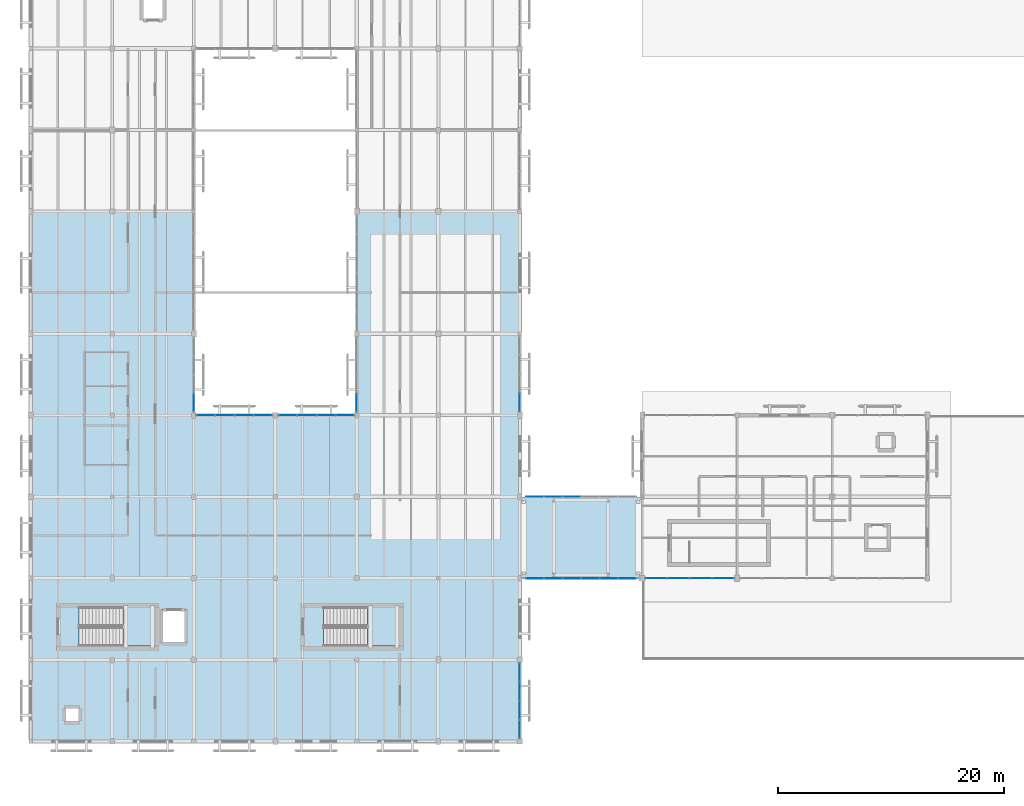
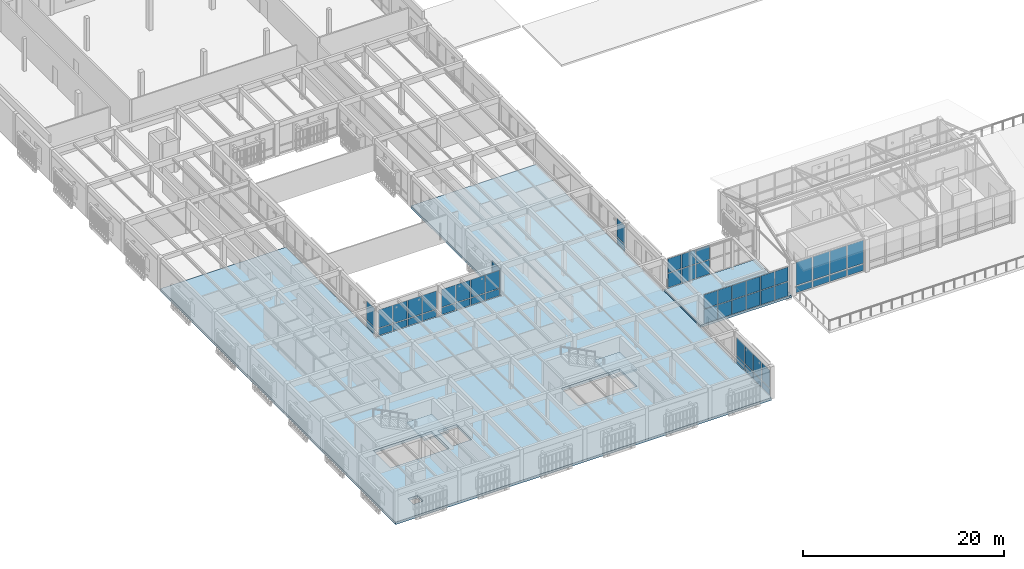
# One storey, part 70 of 112: 56 plates, 4 slabs, 11 elements without a shape of their own.
"""IFC4 building model written with IfcOpenShell, lengths in metres."""

from ifc_helpers import new_model, si_unit, direction, frame, origin, origin_2d, place, context, subcontext, project, spatial, polyline, rectangle, outline, extrude, material, layer, layer_set, type_object, element, aggregate, save


model = new_model("IFC4")

# Units and contexts
model_context = context("Model", 3, precision=1e-05, world=origin(), true_north=direction((0.0, 1.0)))
body_context = subcontext(model_context, "Body", "Model", "MODEL_VIEW")
ifc_project = project(units=[si_unit("LENGTHUNIT", "METRE"), si_unit("AREAUNIT", "SQUARE_METRE"), si_unit("VOLUMEUNIT", "CUBIC_METRE"), si_unit("PLANEANGLEUNIT", "RADIAN"), si_unit("MASSUNIT", "GRAM", prefix="KILO")], contexts=[model_context])

# Site, building, storey
site_placement = place(None, origin())
site = spatial("IfcSite", under=ifc_project, at=site_placement, CompositionType="ELEMENT")
building_placement = place(site_placement, origin())
building = spatial("IfcBuilding", under=site, at=building_placement, Name="Mazaris Harbour Polytechnic", CompositionType="ELEMENT")
storey_placement = place(building_placement, frame((0.0, 0.0, 13.800048828125)))
storey = spatial("IfcBuildingStorey", under=building, at=storey_placement, Name="L03", CompositionType="ELEMENT", Elevation=13.800048828125)

# Slabs
ifc_material_1 = material(Name="Glulam GL28h and Concrete C30/37", Category="concrete")
ifc_layer_1 = layer(ifc_material_1, 0.264892578125, Name="Glulam GL28h and Concrete C30/37")
ifc_layer_set_1 = layer_set([ifc_layer_1], Name="Glulam GL28h and Concrete C30/37")
slab_type_1 = type_object("IfcSlabType", Name="CLT Composite Floor 265", PredefinedType="FLOOR", material=ifc_layer_set_1)
slab_1_placement = place(storey_placement, frame((0.0, 0.0, -0.26513671875)))
element("IfcSlab", 1, at=slab_1_placement, inside=storey, type_object=slab_type_1, Name="PB-W1 L03 Bridge Deck", PredefinedType="FLOOR", context=body_context, shape_type="SweptSolid", body=[
    extrude(outline(polyline([(53.85009765625, 21.60009765625), (53.85009765625, 28.800048828125), (43.35009765625, 28.800048828125), (43.35009765625, 21.60009765625), (53.85009765625, 21.60009765625)])), origin(), (0.0, 0.0, 1.0), 0.26513671875),
])
ifc_material_2 = material(Name="Glulam GL28h and Concrete C30/37", Category="concrete")
ifc_layer_2 = layer(ifc_material_2, 0.31005859375, Name="Glulam GL28h and Concrete C30/37")
ifc_layer_set_2 = layer_set([ifc_layer_2], Name="Glulam GL28h and Concrete C30/37")
slab_type_2 = type_object("IfcSlabType", Name="CLT Library Stack Floor 310", PredefinedType="FLOOR", material=ifc_layer_set_2)
slab_2_placement = place(storey_placement, frame((0.0, 0.0, -0.31005859375)))
element("IfcSlab", 2, at=slab_2_placement, inside=storey, type_object=slab_type_2, Name="V4 L03 Floor Slab", PredefinedType="FLOOR", context=body_context, shape_type="SweptSolid", body=[
    extrude(outline(polyline([(43.199951171875, 7.199951171875), (0.0, 7.199951171875), (0.0, 54.0), (14.39990234375, 54.0), (14.39990234375, 36.0), (28.800048828125, 36.0), (28.800048828125, 54.0), (43.199951171875, 54.0), (43.199951171875, 7.199951171875)]), holes=[polyline([(4.27490234375, 15.60009765625), (11.0, 15.60009765625), (11.0, 19.050048828125), (4.27490234375, 19.050048828125), (4.27490234375, 15.60009765625)]), polyline([(25.875, 19.050048828125), (25.875, 15.60009765625), (32.60009765625, 15.60009765625), (32.60009765625, 19.050048828125), (25.875, 19.050048828125)]), polyline([(13.75, 18.824951171875), (11.550048828125, 18.824951171875), (11.550048828125, 15.824951171875), (13.75, 15.824951171875), (13.75, 18.824951171875)]), polyline([(3.10009765625, 9.0), (4.219970703125, 9.0), (4.219970703125, 10.1201171875), (3.10009765625, 10.1201171875), (3.10009765625, 9.0)])]), origin(), (0.0, 0.0, 1.0), 0.31005859375),
])

# Curtain wall, plates
ifc_material_3 = material(Name="Anodised Bronze Aluminium and Low-E Glass", Category="aluminium")
ifc_layer_3 = layer(ifc_material_3, 0.139892578125, Name="Anodised Bronze Aluminium and Low-E Glass")
ifc_layer_set_3 = layer_set([ifc_layer_3], Name="Anodised Bronze Aluminium and Low-E Glass")
curtain_wall_type_1 = type_object("IfcCurtainWallType", Name="Seismic Link Bridge Glazing", PredefinedType="NOTDEFINED", material=ifc_layer_set_3)
curtain_wall_1_placement = place(storey_placement, origin())
curtain_wall_1 = element("IfcCurtainWall", 3, at=curtain_wall_1_placement, inside=storey, type_object=curtain_wall_type_1, Name="PB-W1 L03 Bridge Glazing", PredefinedType="NOTDEFINED")
ifc_material_4 = material(Name="Anodised Bronze Insulated Panel")
ifc_layer_4 = layer(ifc_material_4, 0.0419921875, Name="Anodised Bronze Insulated Panel")
ifc_layer_set_4 = layer_set([ifc_layer_4], Name="Anodised Bronze Insulated Panel")
plate_type_1 = type_object("IfcPlateType", Name="Insulated Bronze Spandrel Panel 42", PredefinedType="CURTAIN_PANEL", material=ifc_layer_set_4)
plate_1_placement = place(storey_placement, frame((44.52001953125, 21.60009765625, 0.080078125), z_axis=(0.0, 0.0, 1.0), x_axis=(1.0, 0.0, 0.0)))
plate_1 = element("IfcPlate", 4, at=plate_1_placement, type_object=plate_type_1, Name="CW-05 panel 1.1", PredefinedType="CURTAIN_PANEL", context=body_context, shape_type="SweptSolid", body=[
    extrude(rectangle(XDim=1.52001953125, YDim=0.0419921875, at=origin_2d()), origin(), (0.0, 0.0, 1.0), 1.7099609375),
])
plate_2_placement = place(storey_placement, frame((44.52001953125, 21.60009765625, 1.869873046875), z_axis=(0.0, 0.0, 1.0), x_axis=(1.0, 0.0, 0.0)))
plate_2 = element("IfcPlate", 5, at=plate_2_placement, type_object=plate_type_1, Name="CW-05 panel 1.2", PredefinedType="CURTAIN_PANEL", context=body_context, shape_type="SweptSolid", body=[
    extrude(rectangle(XDim=1.52001953125, YDim=0.0419921875, at=origin_2d()), origin(), (0.0, 0.0, 1.0), 1.7099609375),
])
plate_3_placement = place(storey_placement, frame((46.139892578125, 21.60009765625, 0.080078125), z_axis=(0.0, 0.0, 1.0), x_axis=(1.0, 0.0, 0.0)))
plate_3 = element("IfcPlate", 6, at=plate_3_placement, type_object=plate_type_1, Name="CW-05 panel 2.1", PredefinedType="CURTAIN_PANEL", context=body_context, shape_type="SweptSolid", body=[
    extrude(rectangle(XDim=1.56005859375, YDim=0.0419921875, at=origin_2d()), origin(), (0.0, 0.0, 1.0), 1.7099609375),
])
plate_4_placement = place(storey_placement, frame((46.139892578125, 21.60009765625, 1.869873046875), z_axis=(0.0, 0.0, 1.0), x_axis=(1.0, 0.0, 0.0)))
plate_4 = element("IfcPlate", 7, at=plate_4_placement, type_object=plate_type_1, Name="CW-05 panel 2.2", PredefinedType="CURTAIN_PANEL", context=body_context, shape_type="SweptSolid", body=[
    extrude(rectangle(XDim=1.56005859375, YDim=0.0419921875, at=origin_2d()), origin(), (0.0, 0.0, 1.0), 1.7099609375),
])
plate_5_placement = place(storey_placement, frame((47.780029296875, 21.60009765625, 0.080078125), z_axis=(0.0, 0.0, 1.0), x_axis=(1.0, 0.0, 0.0)))
plate_5 = element("IfcPlate", 8, at=plate_5_placement, type_object=plate_type_1, Name="CW-05 panel 3.1", PredefinedType="CURTAIN_PANEL", context=body_context, shape_type="SweptSolid", body=[
    extrude(rectangle(XDim=1.56005859375, YDim=0.0419921875, at=origin_2d()), origin(), (0.0, 0.0, 1.0), 1.7099609375),
])
plate_6_placement = place(storey_placement, frame((47.780029296875, 21.60009765625, 1.869873046875), z_axis=(0.0, 0.0, 1.0), x_axis=(1.0, 0.0, 0.0)))
plate_6 = element("IfcPlate", 9, at=plate_6_placement, type_object=plate_type_1, Name="CW-05 panel 3.2", PredefinedType="CURTAIN_PANEL", context=body_context, shape_type="SweptSolid", body=[
    extrude(rectangle(XDim=1.56005859375, YDim=0.0419921875, at=origin_2d()), origin(), (0.0, 0.0, 1.0), 1.7099609375),
])
plate_7_placement = place(storey_placement, frame((49.419921875, 21.60009765625, 0.080078125), z_axis=(0.0, 0.0, 1.0), x_axis=(1.0, 0.0, 0.0)))
plate_7 = element("IfcPlate", 10, at=plate_7_placement, type_object=plate_type_1, Name="CW-05 panel 4.1", PredefinedType="CURTAIN_PANEL", context=body_context, shape_type="SweptSolid", body=[
    extrude(rectangle(XDim=1.56005859375, YDim=0.0419921875, at=origin_2d()), origin(), (0.0, 0.0, 1.0), 1.7099609375),
])
plate_8_placement = place(storey_placement, frame((49.419921875, 21.60009765625, 1.869873046875), z_axis=(0.0, 0.0, 1.0), x_axis=(1.0, 0.0, 0.0)))
plate_8 = element("IfcPlate", 11, at=plate_8_placement, type_object=plate_type_1, Name="CW-05 panel 4.2", PredefinedType="CURTAIN_PANEL", context=body_context, shape_type="SweptSolid", body=[
    extrude(rectangle(XDim=1.56005859375, YDim=0.0419921875, at=origin_2d()), origin(), (0.0, 0.0, 1.0), 1.7099609375),
])
plate_9_placement = place(storey_placement, frame((51.06005859375, 21.60009765625, 0.080078125), z_axis=(0.0, 0.0, 1.0), x_axis=(1.0, 0.0, 0.0)))
plate_9 = element("IfcPlate", 12, at=plate_9_placement, type_object=plate_type_1, Name="CW-05 panel 5.1", PredefinedType="CURTAIN_PANEL", context=body_context, shape_type="SweptSolid", body=[
    extrude(rectangle(XDim=1.56005859375, YDim=0.0419921875, at=origin_2d()), origin(), (0.0, 0.0, 1.0), 1.7099609375),
])
plate_10_placement = place(storey_placement, frame((51.06005859375, 21.60009765625, 1.869873046875), z_axis=(0.0, 0.0, 1.0), x_axis=(1.0, 0.0, 0.0)))
plate_10 = element("IfcPlate", 13, at=plate_10_placement, type_object=plate_type_1, Name="CW-05 panel 5.2", PredefinedType="CURTAIN_PANEL", context=body_context, shape_type="SweptSolid", body=[
    extrude(rectangle(XDim=1.56005859375, YDim=0.0419921875, at=origin_2d()), origin(), (0.0, 0.0, 1.0), 1.7099609375),
])
plate_11_placement = place(storey_placement, frame((52.679931640625, 21.60009765625, 0.080078125), z_axis=(0.0, 0.0, 1.0), x_axis=(1.0, 0.0, 0.0)))
plate_11 = element("IfcPlate", 14, at=plate_11_placement, type_object=plate_type_1, Name="CW-05 panel 6.1", PredefinedType="CURTAIN_PANEL", context=body_context, shape_type="SweptSolid", body=[
    extrude(rectangle(XDim=1.52001953125, YDim=0.0419921875, at=origin_2d()), origin(), (0.0, 0.0, 1.0), 1.7099609375),
])
plate_12_placement = place(storey_placement, frame((52.679931640625, 21.60009765625, 1.869873046875), z_axis=(0.0, 0.0, 1.0), x_axis=(1.0, 0.0, 0.0)))
plate_12 = element("IfcPlate", 15, at=plate_12_placement, type_object=plate_type_1, Name="CW-05 panel 6.2", PredefinedType="CURTAIN_PANEL", context=body_context, shape_type="SweptSolid", body=[
    extrude(rectangle(XDim=1.52001953125, YDim=0.0419921875, at=origin_2d()), origin(), (0.0, 0.0, 1.0), 1.7099609375),
])
aggregate(curtain_wall_1, [plate_1, plate_2, plate_3, plate_4, plate_5, plate_6, plate_7, plate_8, plate_9, plate_10, plate_11, plate_12])

ifc_material_5 = material(Name="Anodised Bronze Aluminium and Low-E Glass", Category="aluminium")
ifc_layer_5 = layer(ifc_material_5, 0.179931640625, Name="Anodised Bronze Aluminium and Low-E Glass")
ifc_layer_set_5 = layer_set([ifc_layer_5], Name="Anodised Bronze Aluminium and Low-E Glass")
curtain_wall_type_2 = type_object("IfcCurtainWallType", Name="Harbour Colonnade Curtain Wall", PredefinedType="NOTDEFINED", material=ifc_layer_set_5)
curtain_wall_2_placement = place(storey_placement, origin())
curtain_wall_2 = element("IfcCurtainWall", 16, at=curtain_wall_2_placement, inside=storey, type_object=curtain_wall_type_2, Name="V3 L03 Curtain Wall 90", PredefinedType="NOTDEFINED")
ifc_material_6 = material(Name="Low-E Double Glazing", Category="glass")
ifc_layer_6 = layer(ifc_material_6, 0.028076171875, Name="Low-E Double Glazing")
ifc_layer_set_6 = layer_set([ifc_layer_6], Name="Low-E Double Glazing")
plate_type_2 = type_object("IfcPlateType", Name="Low-E Vision Glass Panel 28", PredefinedType="CURTAIN_PANEL", material=ifc_layer_set_6)
plate_13_placement = place(storey_placement, frame((61.169677734375, 21.60009765625, 0.119873046875), z_axis=(0.0, 0.0, 1.0), x_axis=(-1.0, 0.0, 0.0)))
plate_13 = element("IfcPlate", 17, at=plate_13_placement, type_object=plate_type_2, Name="CW-01 panel 1.1", PredefinedType="CURTAIN_PANEL", context=body_context, shape_type="SweptSolid", body=[
    extrude(rectangle(XDim=1.83642578125, YDim=0.028076171875, at=origin_2d()), origin(), (0.0, 0.0, 1.0), 0.77001953125),
])
plate_14_placement = place(storey_placement, frame((61.169677734375, 21.60009765625, 1.010009765625), z_axis=(0.0, 0.0, 1.0), x_axis=(-1.0, 0.0, 0.0)))
plate_14 = element("IfcPlate", 18, at=plate_14_placement, type_object=plate_type_2, Name="CW-01 panel 1.2", PredefinedType="CURTAIN_PANEL", context=body_context, shape_type="SweptSolid", body=[
    extrude(rectangle(XDim=1.83642578125, YDim=0.028076171875, at=origin_2d()), origin(), (0.0, 0.0, 1.0), 2.830078125),
])
plate_15_placement = place(storey_placement, frame((59.208251953125, 21.60009765625, 0.119873046875), z_axis=(0.0, 0.0, 1.0), x_axis=(-1.0, 0.0, 0.0)))
plate_15 = element("IfcPlate", 19, at=plate_15_placement, type_object=plate_type_2, Name="CW-01 panel 2.1", PredefinedType="CURTAIN_PANEL", context=body_context, shape_type="SweptSolid", body=[
    extrude(rectangle(XDim=1.886474609375, YDim=0.028076171875, at=origin_2d()), origin(), (0.0, 0.0, 1.0), 0.77001953125),
])
plate_16_placement = place(storey_placement, frame((59.208251953125, 21.60009765625, 1.010009765625), z_axis=(0.0, 0.0, 1.0), x_axis=(-1.0, 0.0, 0.0)))
plate_16 = element("IfcPlate", 20, at=plate_16_placement, type_object=plate_type_2, Name="CW-01 panel 2.2", PredefinedType="CURTAIN_PANEL", context=body_context, shape_type="SweptSolid", body=[
    extrude(rectangle(XDim=1.886474609375, YDim=0.028076171875, at=origin_2d()), origin(), (0.0, 0.0, 1.0), 2.830078125),
])
plate_17_placement = place(storey_placement, frame((57.2216796875, 21.60009765625, 0.119873046875), z_axis=(0.0, 0.0, 1.0), x_axis=(-1.0, 0.0, 0.0)))
plate_17 = element("IfcPlate", 21, at=plate_17_placement, type_object=plate_type_2, Name="CW-01 panel 3.1", PredefinedType="CURTAIN_PANEL", context=body_context, shape_type="SweptSolid", body=[
    extrude(rectangle(XDim=1.886474609375, YDim=0.028076171875, at=origin_2d()), origin(), (0.0, 0.0, 1.0), 0.77001953125),
])
plate_18_placement = place(storey_placement, frame((57.2216796875, 21.60009765625, 1.010009765625), z_axis=(0.0, 0.0, 1.0), x_axis=(-1.0, 0.0, 0.0)))
plate_18 = element("IfcPlate", 22, at=plate_18_placement, type_object=plate_type_2, Name="CW-01 panel 3.2", PredefinedType="CURTAIN_PANEL", context=body_context, shape_type="SweptSolid", body=[
    extrude(rectangle(XDim=1.886474609375, YDim=0.028076171875, at=origin_2d()), origin(), (0.0, 0.0, 1.0), 2.830078125),
])
plate_19_placement = place(storey_placement, frame((55.26025390625, 21.60009765625, 0.119873046875), z_axis=(0.0, 0.0, 1.0), x_axis=(-1.0, 0.0, 0.0)))
plate_19 = element("IfcPlate", 23, at=plate_19_placement, type_object=plate_type_2, Name="CW-01 panel 4.1", PredefinedType="CURTAIN_PANEL", context=body_context, shape_type="SweptSolid", body=[
    extrude(rectangle(XDim=1.83642578125, YDim=0.028076171875, at=origin_2d()), origin(), (0.0, 0.0, 1.0), 0.77001953125),
])
plate_20_placement = place(storey_placement, frame((55.26025390625, 21.60009765625, 1.010009765625), z_axis=(0.0, 0.0, 1.0), x_axis=(-1.0, 0.0, 0.0)))
plate_20 = element("IfcPlate", 24, at=plate_20_placement, type_object=plate_type_2, Name="CW-01 panel 4.2", PredefinedType="CURTAIN_PANEL", context=body_context, shape_type="SweptSolid", body=[
    extrude(rectangle(XDim=1.83642578125, YDim=0.028076171875, at=origin_2d()), origin(), (0.0, 0.0, 1.0), 2.830078125),
])
aggregate(curtain_wall_2, [plate_13, plate_14, plate_15, plate_16, plate_17, plate_18, plate_19, plate_20])

ifc_material_7 = material(Name="Anodised Bronze Aluminium and Low-E Glass", Category="aluminium")
ifc_layer_7 = layer(ifc_material_7, 0.159912109375, Name="Anodised Bronze Aluminium and Low-E Glass")
ifc_layer_set_7 = layer_set([ifc_layer_7], Name="Anodised Bronze Aluminium and Low-E Glass")
curtain_wall_type_3 = type_object("IfcCurtainWallType", Name="Cloister Court Curtain Wall", PredefinedType="NOTDEFINED", material=ifc_layer_set_7)
curtain_wall_3_placement = place(storey_placement, origin())
curtain_wall_3 = element("IfcCurtainWall", 25, at=curtain_wall_3_placement, inside=storey, type_object=curtain_wall_type_3, Name="V4 L03 Curtain Wall 145", PredefinedType="NOTDEFINED")
plate_21_placement = place(storey_placement, frame((43.199951171875, 13.2958984375, 0.079833984375), z_axis=(0.0, 0.0, 1.0), x_axis=(0.0, -1.0, 0.0)))
plate_21 = element("IfcPlate", 26, at=plate_21_placement, type_object=plate_type_2, Name="CW-02 panel 1.1", PredefinedType="CURTAIN_PANEL", context=body_context, shape_type="SweptSolid", body=[
    extrude(rectangle(XDim=1.56396484375, YDim=0.028076171875, at=origin_2d()), origin(), (0.0, 0.0, 1.0), 0.830078125),
])
plate_22_placement = place(storey_placement, frame((43.199951171875, 13.2958984375, 0.990234375), z_axis=(0.0, 0.0, 1.0), x_axis=(0.0, -1.0, 0.0)))
plate_22 = element("IfcPlate", 27, at=plate_22_placement, type_object=plate_type_2, Name="CW-02 panel 1.2", PredefinedType="CURTAIN_PANEL", context=body_context, shape_type="SweptSolid", body=[
    extrude(rectangle(XDim=1.56396484375, YDim=0.028076171875, at=origin_2d()), origin(), (0.0, 0.0, 1.0), 2.159912109375),
])
plate_23_placement = place(storey_placement, frame((43.199951171875, 11.632080078125, 0.079833984375), z_axis=(0.0, 0.0, 1.0), x_axis=(0.0, -1.0, 0.0)))
plate_23 = element("IfcPlate", 28, at=plate_23_placement, type_object=plate_type_2, Name="CW-02 panel 2.1", PredefinedType="CURTAIN_PANEL", context=body_context, shape_type="SweptSolid", body=[
    extrude(rectangle(XDim=1.60400390625, YDim=0.028076171875, at=origin_2d()), origin(), (0.0, 0.0, 1.0), 0.830078125),
])
plate_24_placement = place(storey_placement, frame((43.199951171875, 11.632080078125, 0.990234375), z_axis=(0.0, 0.0, 1.0), x_axis=(0.0, -1.0, 0.0)))
plate_24 = element("IfcPlate", 29, at=plate_24_placement, type_object=plate_type_2, Name="CW-02 panel 2.2", PredefinedType="CURTAIN_PANEL", context=body_context, shape_type="SweptSolid", body=[
    extrude(rectangle(XDim=1.60400390625, YDim=0.028076171875, at=origin_2d()), origin(), (0.0, 0.0, 1.0), 2.159912109375),
])
plate_25_placement = place(storey_placement, frame((43.199951171875, 9.947998046875, 0.079833984375), z_axis=(0.0, 0.0, 1.0), x_axis=(0.0, -1.0, 0.0)))
plate_25 = element("IfcPlate", 30, at=plate_25_placement, type_object=plate_type_2, Name="CW-02 panel 3.1", PredefinedType="CURTAIN_PANEL", context=body_context, shape_type="SweptSolid", body=[
    extrude(rectangle(XDim=1.60400390625, YDim=0.028076171875, at=origin_2d()), origin(), (0.0, 0.0, 1.0), 0.830078125),
])
plate_26_placement = place(storey_placement, frame((43.199951171875, 9.947998046875, 0.990234375), z_axis=(0.0, 0.0, 1.0), x_axis=(0.0, -1.0, 0.0)))
plate_26 = element("IfcPlate", 31, at=plate_26_placement, type_object=plate_type_2, Name="CW-02 panel 3.2", PredefinedType="CURTAIN_PANEL", context=body_context, shape_type="SweptSolid", body=[
    extrude(rectangle(XDim=1.60400390625, YDim=0.028076171875, at=origin_2d()), origin(), (0.0, 0.0, 1.0), 2.159912109375),
])
plate_27_placement = place(storey_placement, frame((43.199951171875, 8.283935546875, 0.079833984375), z_axis=(0.0, 0.0, 1.0), x_axis=(0.0, -1.0, 0.0)))
plate_27 = element("IfcPlate", 32, at=plate_27_placement, type_object=plate_type_2, Name="CW-02 panel 4.1", PredefinedType="CURTAIN_PANEL", context=body_context, shape_type="SweptSolid", body=[
    extrude(rectangle(XDim=1.56396484375, YDim=0.028076171875, at=origin_2d()), origin(), (0.0, 0.0, 1.0), 0.830078125),
])
plate_28_placement = place(storey_placement, frame((43.199951171875, 8.283935546875, 0.990234375), z_axis=(0.0, 0.0, 1.0), x_axis=(0.0, -1.0, 0.0)))
plate_28 = element("IfcPlate", 33, at=plate_28_placement, type_object=plate_type_2, Name="CW-02 panel 4.2", PredefinedType="CURTAIN_PANEL", context=body_context, shape_type="SweptSolid", body=[
    extrude(rectangle(XDim=1.56396484375, YDim=0.028076171875, at=origin_2d()), origin(), (0.0, 0.0, 1.0), 2.159912109375),
])
aggregate(curtain_wall_3, [plate_21, plate_22, plate_23, plate_24, plate_25, plate_26, plate_27, plate_28])

curtain_wall_4_placement = place(storey_placement, origin())
curtain_wall_4 = element("IfcCurtainWall", 34, at=curtain_wall_4_placement, inside=storey, type_object=curtain_wall_type_3, Name="V4 L03 Curtain Wall 146", PredefinedType="NOTDEFINED")
plate_29_placement = place(storey_placement, frame((43.199951171875, 37.1552734375, 0.079833984375), z_axis=(0.0, 0.0, 1.0), x_axis=(0.0, -1.0, 0.0)))
plate_29 = element("IfcPlate", 35, at=plate_29_placement, type_object=plate_type_2, Name="CW-02 panel 4.1", PredefinedType="CURTAIN_PANEL", context=body_context, shape_type="SweptSolid", body=[
    extrude(rectangle(XDim=1.56640625, YDim=0.028076171875, at=origin_2d()), origin(), (0.0, 0.0, 1.0), 0.830078125),
])
plate_30_placement = place(storey_placement, frame((43.199951171875, 37.1552734375, 0.98974609375), z_axis=(0.0, 0.0, 1.0), x_axis=(0.0, -1.0, 0.0)))
plate_30 = element("IfcPlate", 36, at=plate_30_placement, type_object=plate_type_2, Name="CW-02 panel 4.2", PredefinedType="CURTAIN_PANEL", context=body_context, shape_type="SweptSolid", body=[
    extrude(rectangle(XDim=1.56640625, YDim=0.028076171875, at=origin_2d()), origin(), (0.0, 0.0, 1.0), 2.199951171875),
])
aggregate(curtain_wall_4, [plate_29, plate_30])

curtain_wall_5_placement = place(storey_placement, origin())
curtain_wall_5 = element("IfcCurtainWall", 37, at=curtain_wall_5_placement, inside=storey, type_object=curtain_wall_type_3, Name="V4 L03 Curtain Wall 150", PredefinedType="NOTDEFINED")
plate_31_placement = place(storey_placement, frame((15.460205078125, 36.0, 0.079833984375), z_axis=(0.0, 0.0, 1.0), x_axis=(1.0, 0.0, 0.0)))
plate_31 = element("IfcPlate", 38, at=plate_31_placement, type_object=plate_type_2, Name="CW-02 panel 1.1", PredefinedType="CURTAIN_PANEL", context=body_context, shape_type="SweptSolid", body=[
    extrude(rectangle(XDim=1.576416015625, YDim=0.028076171875, at=origin_2d()), origin(), (0.0, 0.0, 1.0), 0.830078125),
])
plate_32_placement = place(storey_placement, frame((15.460205078125, 36.0, 0.98974609375), z_axis=(0.0, 0.0, 1.0), x_axis=(1.0, 0.0, 0.0)))
plate_32 = element("IfcPlate", 39, at=plate_32_placement, type_object=plate_type_2, Name="CW-02 panel 1.2", PredefinedType="CURTAIN_PANEL", context=body_context, shape_type="SweptSolid", body=[
    extrude(rectangle(XDim=1.576416015625, YDim=0.028076171875, at=origin_2d()), origin(), (0.0, 0.0, 1.0), 2.199951171875),
])
plate_33_placement = place(storey_placement, frame((17.13671875, 36.0, 0.079833984375), z_axis=(0.0, 0.0, 1.0), x_axis=(1.0, 0.0, 0.0)))
plate_33 = element("IfcPlate", 40, at=plate_33_placement, type_object=plate_type_2, Name="CW-02 panel 2.1", PredefinedType="CURTAIN_PANEL", context=body_context, shape_type="SweptSolid", body=[
    extrude(rectangle(XDim=1.616455078125, YDim=0.028076171875, at=origin_2d()), origin(), (0.0, 0.0, 1.0), 0.830078125),
])
plate_34_placement = place(storey_placement, frame((17.13671875, 36.0, 0.98974609375), z_axis=(0.0, 0.0, 1.0), x_axis=(1.0, 0.0, 0.0)))
plate_34 = element("IfcPlate", 41, at=plate_34_placement, type_object=plate_type_2, Name="CW-02 panel 2.2", PredefinedType="CURTAIN_PANEL", context=body_context, shape_type="SweptSolid", body=[
    extrude(rectangle(XDim=1.616455078125, YDim=0.028076171875, at=origin_2d()), origin(), (0.0, 0.0, 1.0), 2.199951171875),
])
plate_35_placement = place(storey_placement, frame((18.833251953125, 36.0, 0.079833984375), z_axis=(0.0, 0.0, 1.0), x_axis=(1.0, 0.0, 0.0)))
plate_35 = element("IfcPlate", 42, at=plate_35_placement, type_object=plate_type_2, Name="CW-02 panel 3.1", PredefinedType="CURTAIN_PANEL", context=body_context, shape_type="SweptSolid", body=[
    extrude(rectangle(XDim=1.616455078125, YDim=0.028076171875, at=origin_2d()), origin(), (0.0, 0.0, 1.0), 0.830078125),
])
plate_36_placement = place(storey_placement, frame((18.833251953125, 36.0, 0.98974609375), z_axis=(0.0, 0.0, 1.0), x_axis=(1.0, 0.0, 0.0)))
plate_36 = element("IfcPlate", 43, at=plate_36_placement, type_object=plate_type_2, Name="CW-02 panel 3.2", PredefinedType="CURTAIN_PANEL", context=body_context, shape_type="SweptSolid", body=[
    extrude(rectangle(XDim=1.616455078125, YDim=0.028076171875, at=origin_2d()), origin(), (0.0, 0.0, 1.0), 2.199951171875),
])
plate_37_placement = place(storey_placement, frame((20.509765625, 36.0, 0.079833984375), z_axis=(0.0, 0.0, 1.0), x_axis=(1.0, 0.0, 0.0)))
plate_37 = element("IfcPlate", 44, at=plate_37_placement, type_object=plate_type_2, Name="CW-02 panel 4.1", PredefinedType="CURTAIN_PANEL", context=body_context, shape_type="SweptSolid", body=[
    extrude(rectangle(XDim=1.576416015625, YDim=0.028076171875, at=origin_2d()), origin(), (0.0, 0.0, 1.0), 0.830078125),
])
plate_38_placement = place(storey_placement, frame((20.509765625, 36.0, 0.98974609375), z_axis=(0.0, 0.0, 1.0), x_axis=(1.0, 0.0, 0.0)))
plate_38 = element("IfcPlate", 45, at=plate_38_placement, type_object=plate_type_2, Name="CW-02 panel 4.2", PredefinedType="CURTAIN_PANEL", context=body_context, shape_type="SweptSolid", body=[
    extrude(rectangle(XDim=1.576416015625, YDim=0.028076171875, at=origin_2d()), origin(), (0.0, 0.0, 1.0), 2.199951171875),
])
aggregate(curtain_wall_5, [plate_31, plate_32, plate_33, plate_34, plate_35, plate_36, plate_37, plate_38])

curtain_wall_6_placement = place(storey_placement, origin())
curtain_wall_6 = element("IfcCurtainWall", 46, at=curtain_wall_6_placement, inside=storey, type_object=curtain_wall_type_3, Name="V4 L03 Curtain Wall 151", PredefinedType="NOTDEFINED")
plate_39_placement = place(storey_placement, frame((22.69287109375, 36.0, 0.079833984375), z_axis=(0.0, 0.0, 1.0), x_axis=(1.0, 0.0, 0.0)))
plate_39 = element("IfcPlate", 47, at=plate_39_placement, type_object=plate_type_2, Name="CW-02 panel 1.1", PredefinedType="CURTAIN_PANEL", context=body_context, shape_type="SweptSolid", body=[
    extrude(rectangle(XDim=1.58154296875, YDim=0.028076171875, at=origin_2d()), origin(), (0.0, 0.0, 1.0), 0.830078125),
])
plate_40_placement = place(storey_placement, frame((22.69287109375, 36.0, 0.990234375), z_axis=(0.0, 0.0, 1.0), x_axis=(1.0, 0.0, 0.0)))
plate_40 = element("IfcPlate", 48, at=plate_40_placement, type_object=plate_type_2, Name="CW-02 panel 1.2", PredefinedType="CURTAIN_PANEL", context=body_context, shape_type="SweptSolid", body=[
    extrude(rectangle(XDim=1.58154296875, YDim=0.028076171875, at=origin_2d()), origin(), (0.0, 0.0, 1.0), 2.159912109375),
])
plate_41_placement = place(storey_placement, frame((24.374267578125, 36.0, 0.079833984375), z_axis=(0.0, 0.0, 1.0), x_axis=(1.0, 0.0, 0.0)))
plate_41 = element("IfcPlate", 49, at=plate_41_placement, type_object=plate_type_2, Name="CW-02 panel 2.1", PredefinedType="CURTAIN_PANEL", context=body_context, shape_type="SweptSolid", body=[
    extrude(rectangle(XDim=1.62158203125, YDim=0.028076171875, at=origin_2d()), origin(), (0.0, 0.0, 1.0), 0.830078125),
])
plate_42_placement = place(storey_placement, frame((24.374267578125, 36.0, 0.990234375), z_axis=(0.0, 0.0, 1.0), x_axis=(1.0, 0.0, 0.0)))
plate_42 = element("IfcPlate", 50, at=plate_42_placement, type_object=plate_type_2, Name="CW-02 panel 2.2", PredefinedType="CURTAIN_PANEL", context=body_context, shape_type="SweptSolid", body=[
    extrude(rectangle(XDim=1.62158203125, YDim=0.028076171875, at=origin_2d()), origin(), (0.0, 0.0, 1.0), 2.159912109375),
])
plate_43_placement = place(storey_placement, frame((26.07568359375, 36.0, 0.079833984375), z_axis=(0.0, 0.0, 1.0), x_axis=(1.0, 0.0, 0.0)))
plate_43 = element("IfcPlate", 51, at=plate_43_placement, type_object=plate_type_2, Name="CW-02 panel 3.1", PredefinedType="CURTAIN_PANEL", context=body_context, shape_type="SweptSolid", body=[
    extrude(rectangle(XDim=1.62158203125, YDim=0.028076171875, at=origin_2d()), origin(), (0.0, 0.0, 1.0), 0.830078125),
])
plate_44_placement = place(storey_placement, frame((26.07568359375, 36.0, 0.990234375), z_axis=(0.0, 0.0, 1.0), x_axis=(1.0, 0.0, 0.0)))
plate_44 = element("IfcPlate", 52, at=plate_44_placement, type_object=plate_type_2, Name="CW-02 panel 3.2", PredefinedType="CURTAIN_PANEL", context=body_context, shape_type="SweptSolid", body=[
    extrude(rectangle(XDim=1.62158203125, YDim=0.028076171875, at=origin_2d()), origin(), (0.0, 0.0, 1.0), 2.159912109375),
])
plate_45_placement = place(storey_placement, frame((27.75732421875, 36.0, 0.079833984375), z_axis=(0.0, 0.0, 1.0), x_axis=(1.0, 0.0, 0.0)))
plate_45 = element("IfcPlate", 53, at=plate_45_placement, type_object=plate_type_2, Name="CW-02 panel 4.1", PredefinedType="CURTAIN_PANEL", context=body_context, shape_type="SweptSolid", body=[
    extrude(rectangle(XDim=1.58154296875, YDim=0.028076171875, at=origin_2d()), origin(), (0.0, 0.0, 1.0), 0.830078125),
])
plate_46_placement = place(storey_placement, frame((27.75732421875, 36.0, 0.990234375), z_axis=(0.0, 0.0, 1.0), x_axis=(1.0, 0.0, 0.0)))
plate_46 = element("IfcPlate", 54, at=plate_46_placement, type_object=plate_type_2, Name="CW-02 panel 4.2", PredefinedType="CURTAIN_PANEL", context=body_context, shape_type="SweptSolid", body=[
    extrude(rectangle(XDim=1.58154296875, YDim=0.028076171875, at=origin_2d()), origin(), (0.0, 0.0, 1.0), 2.159912109375),
])
aggregate(curtain_wall_6, [plate_39, plate_40, plate_41, plate_42, plate_43, plate_44, plate_45, plate_46])

curtain_wall_7_placement = place(storey_placement, origin())
curtain_wall_7 = element("IfcCurtainWall", 55, at=curtain_wall_7_placement, inside=storey, type_object=curtain_wall_type_3, Name="V4 L03 Curtain Wall 154", PredefinedType="NOTDEFINED")
plate_47_placement = place(storey_placement, frame((14.39990234375, 37.11279296875, 0.079833984375), z_axis=(0.0, 0.0, 1.0), x_axis=(0.0, 1.0, 0.0)))
plate_47 = element("IfcPlate", 56, at=plate_47_placement, type_object=plate_type_2, Name="CW-02 panel 1.1", PredefinedType="CURTAIN_PANEL", context=body_context, shape_type="SweptSolid", body=[
    extrude(rectangle(XDim=1.54150390625, YDim=0.028076171875, at=origin_2d()), origin(), (0.0, 0.0, 1.0), 0.830078125),
])
plate_48_placement = place(storey_placement, frame((14.39990234375, 37.11279296875, 0.98974609375), z_axis=(0.0, 0.0, 1.0), x_axis=(0.0, 1.0, 0.0)))
plate_48 = element("IfcPlate", 57, at=plate_48_placement, type_object=plate_type_2, Name="CW-02 panel 1.2", PredefinedType="CURTAIN_PANEL", context=body_context, shape_type="SweptSolid", body=[
    extrude(rectangle(XDim=1.54150390625, YDim=0.028076171875, at=origin_2d()), origin(), (0.0, 0.0, 1.0), 2.260009765625),
])
aggregate(curtain_wall_7, [plate_47, plate_48])

curtain_wall_8_placement = place(storey_placement, origin())
curtain_wall_8 = element("IfcCurtainWall", 58, at=curtain_wall_8_placement, inside=storey, type_object=curtain_wall_type_3, Name="V4 L03 Curtain Wall 158", PredefinedType="NOTDEFINED")
plate_49_placement = place(storey_placement, frame((28.800048828125, 37.09033203125, 0.079833984375), z_axis=(0.0, 0.0, 1.0), x_axis=(0.0, -1.0, 0.0)))
plate_49 = element("IfcPlate", 59, at=plate_49_placement, type_object=plate_type_2, Name="CW-02 panel 4.1", PredefinedType="CURTAIN_PANEL", context=body_context, shape_type="SweptSolid", body=[
    extrude(rectangle(XDim=1.556396484375, YDim=0.028076171875, at=origin_2d()), origin(), (0.0, 0.0, 1.0), 0.830078125),
])
plate_50_placement = place(storey_placement, frame((28.800048828125, 37.09033203125, 0.989990234375), z_axis=(0.0, 0.0, 1.0), x_axis=(0.0, -1.0, 0.0)))
plate_50 = element("IfcPlate", 60, at=plate_50_placement, type_object=plate_type_2, Name="CW-02 panel 4.2", PredefinedType="CURTAIN_PANEL", context=body_context, shape_type="SweptSolid", body=[
    extrude(rectangle(XDim=1.556396484375, YDim=0.028076171875, at=origin_2d()), origin(), (0.0, 0.0, 1.0), 2.10009765625),
])
aggregate(curtain_wall_8, [plate_49, plate_50])

curtain_wall_9_placement = place(storey_placement, origin())
curtain_wall_9 = element("IfcCurtainWall", 61, at=curtain_wall_9_placement, inside=storey, type_object=curtain_wall_type_1, Name="PB-W1 L03 Bridge Glazing", PredefinedType="NOTDEFINED")
plate_51_placement = place(storey_placement, frame((47.780029296875, 28.800048828125, 0.080078125), z_axis=(0.0, 0.0, 1.0), x_axis=(-1.0, 0.0, 0.0)))
plate_51 = element("IfcPlate", 62, at=plate_51_placement, type_object=plate_type_2, Name="CW-05 panel 4.1", PredefinedType="CURTAIN_PANEL", context=body_context, shape_type="SweptSolid", body=[
    extrude(rectangle(XDim=1.56005859375, YDim=0.028076171875, at=origin_2d()), origin(), (0.0, 0.0, 1.0), 1.7099609375),
])
plate_52_placement = place(storey_placement, frame((47.780029296875, 28.800048828125, 1.869873046875), z_axis=(0.0, 0.0, 1.0), x_axis=(-1.0, 0.0, 0.0)))
plate_52 = element("IfcPlate", 63, at=plate_52_placement, type_object=plate_type_2, Name="CW-05 panel 4.2", PredefinedType="CURTAIN_PANEL", context=body_context, shape_type="SweptSolid", body=[
    extrude(rectangle(XDim=1.56005859375, YDim=0.028076171875, at=origin_2d()), origin(), (0.0, 0.0, 1.0), 1.7099609375),
])
plate_53_placement = place(storey_placement, frame((46.139892578125, 28.800048828125, 0.080078125), z_axis=(0.0, 0.0, 1.0), x_axis=(-1.0, 0.0, 0.0)))
plate_53 = element("IfcPlate", 64, at=plate_53_placement, type_object=plate_type_2, Name="CW-05 panel 5.1", PredefinedType="CURTAIN_PANEL", context=body_context, shape_type="SweptSolid", body=[
    extrude(rectangle(XDim=1.56005859375, YDim=0.028076171875, at=origin_2d()), origin(), (0.0, 0.0, 1.0), 1.7099609375),
])
plate_54_placement = place(storey_placement, frame((46.139892578125, 28.800048828125, 1.869873046875), z_axis=(0.0, 0.0, 1.0), x_axis=(-1.0, 0.0, 0.0)))
plate_54 = element("IfcPlate", 65, at=plate_54_placement, type_object=plate_type_2, Name="CW-05 panel 5.2", PredefinedType="CURTAIN_PANEL", context=body_context, shape_type="SweptSolid", body=[
    extrude(rectangle(XDim=1.56005859375, YDim=0.028076171875, at=origin_2d()), origin(), (0.0, 0.0, 1.0), 1.7099609375),
])
plate_55_placement = place(storey_placement, frame((44.52001953125, 28.800048828125, 0.080078125), z_axis=(0.0, 0.0, 1.0), x_axis=(-1.0, 0.0, 0.0)))
plate_55 = element("IfcPlate", 66, at=plate_55_placement, type_object=plate_type_2, Name="CW-05 panel 6.1", PredefinedType="CURTAIN_PANEL", context=body_context, shape_type="SweptSolid", body=[
    extrude(rectangle(XDim=1.52001953125, YDim=0.028076171875, at=origin_2d()), origin(), (0.0, 0.0, 1.0), 1.7099609375),
])
plate_56_placement = place(storey_placement, frame((44.52001953125, 28.800048828125, 1.869873046875), z_axis=(0.0, 0.0, 1.0), x_axis=(-1.0, 0.0, 0.0)))
plate_56 = element("IfcPlate", 67, at=plate_56_placement, type_object=plate_type_2, Name="CW-05 panel 6.2", PredefinedType="CURTAIN_PANEL", context=body_context, shape_type="SweptSolid", body=[
    extrude(rectangle(XDim=1.52001953125, YDim=0.028076171875, at=origin_2d()), origin(), (0.0, 0.0, 1.0), 1.7099609375),
])
aggregate(curtain_wall_9, [plate_51, plate_52, plate_53, plate_54, plate_55, plate_56])

# Stair, slab
ifc_material_8 = material(Name="Concrete C40/50", Category="concrete")
stair_type = type_object("IfcStairType", Name="Core Exit Stair H4200", PredefinedType="HALF_TURN_STAIR", material=ifc_material_8)
stair_1_placement = place(storey_placement, origin())
stair_1 = element("IfcStair", 68, at=stair_1_placement, inside=storey, type_object=stair_type, Name="L03 ST07", PredefinedType="HALF_TURN_STAIR")
ifc_material_9 = material(Name="Concrete C40/50", Category="concrete")
ifc_layer_8 = layer(ifc_material_9, 0.199951171875, Name="Concrete C40/50")
ifc_layer_set_8 = layer_set([ifc_layer_8], Name="Concrete C40/50")
slab_type_3 = type_object("IfcSlabType", Name="RC Stair Landing 200", PredefinedType="LANDING", material=ifc_layer_set_8)
slab_3_placement = place(storey_placement, frame((0.0, 0.0, 1.89990234375)))
slab_3 = element("IfcSlab", 69, at=slab_3_placement, type_object=slab_type_3, Name="ST07 landing 1", PredefinedType="LANDING", context=body_context, shape_type="SweptSolid", body=[
    extrude(outline(polyline([(8.14990234375, 15.60009765625), (11.0, 15.60009765625), (11.0, 19.050048828125), (8.14990234375, 19.050048828125), (8.14990234375, 15.60009765625)])), origin(), (0.0, 0.0, 1.0), 0.199951171875),
])
aggregate(stair_1, [slab_3])

stair_2_placement = place(storey_placement, origin())
stair_2 = element("IfcStair", 70, at=stair_2_placement, inside=storey, type_object=stair_type, Name="L03 ST08", PredefinedType="HALF_TURN_STAIR")
slab_4_placement = place(storey_placement, frame((0.0, 0.0, 1.89990234375)))
slab_4 = element("IfcSlab", 71, at=slab_4_placement, type_object=slab_type_3, Name="ST08 landing 1", PredefinedType="LANDING", context=body_context, shape_type="SweptSolid", body=[
    extrude(outline(polyline([(29.75, 15.60009765625), (32.60009765625, 15.60009765625), (32.60009765625, 19.050048828125), (29.75, 19.050048828125), (29.75, 15.60009765625)])), origin(), (0.0, 0.0, 1.0), 0.199951171875),
])
aggregate(stair_2, [slab_4])

save(model, "model.ifc")
